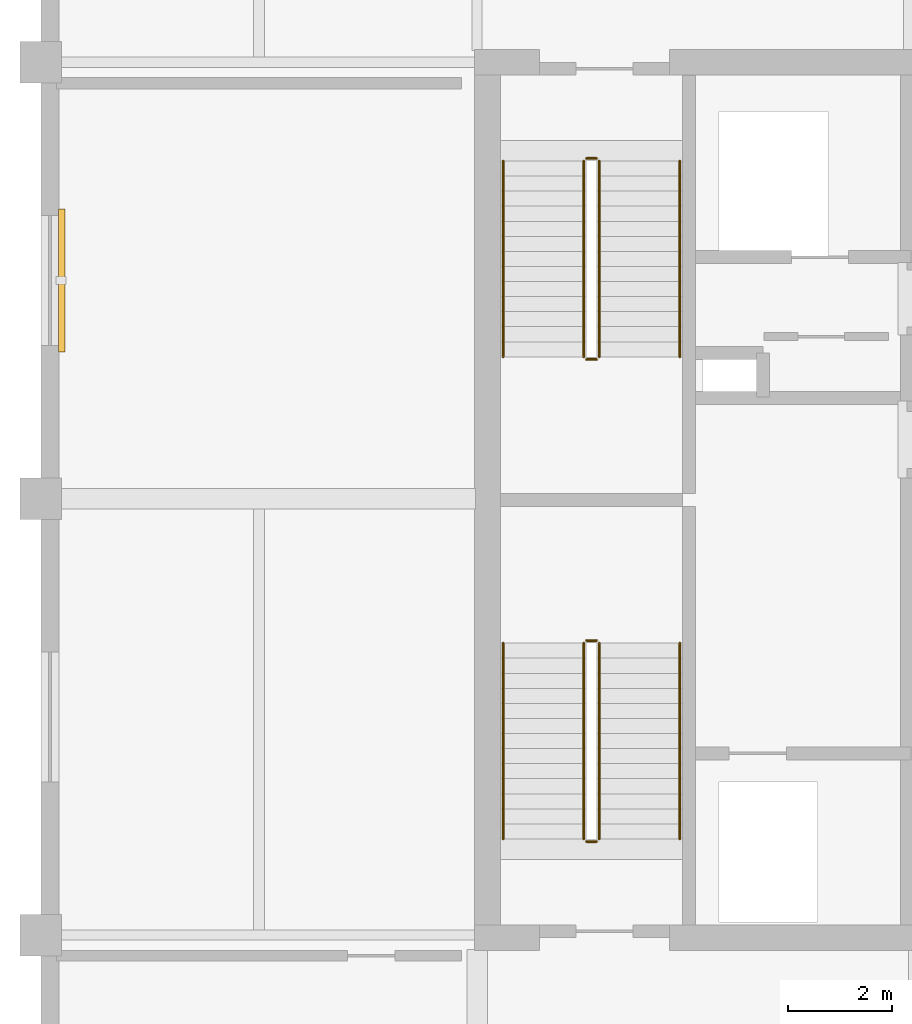
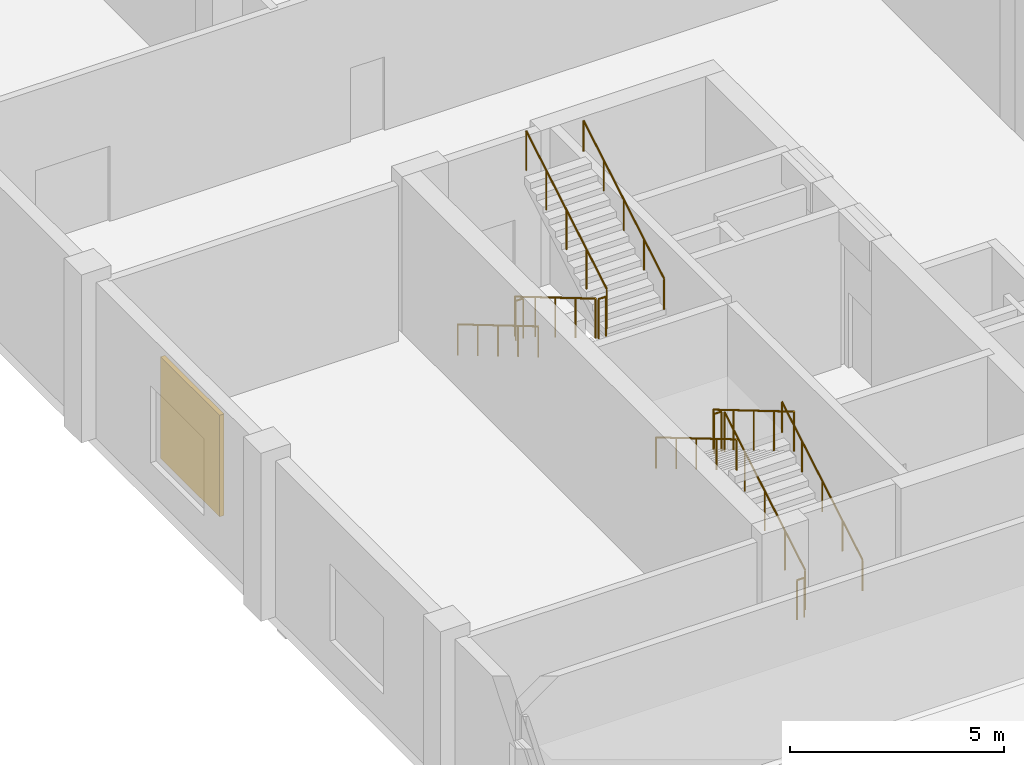
# One storey, part 18 of 18: 12 railings, 1 shading device.
"""IFC4 building model written with IfcOpenShell, lengths in metres."""

from ifc_helpers import new_model, si_unit, direction, frame, origin, origin_2d, place, context, subcontext, project, spatial, rectangle, circle, extrude, material, layer, layer_set, type_object, element, save


model = new_model("IFC4")

# Units and contexts
model_context = context("Model", 3, precision=1e-05, world=origin(), true_north=direction((0.0, 1.0)))
body_context = subcontext(model_context, "Body", "Model", "MODEL_VIEW")
ifc_project = project(units=[si_unit("LENGTHUNIT", "METRE"), si_unit("AREAUNIT", "SQUARE_METRE"), si_unit("VOLUMEUNIT", "CUBIC_METRE"), si_unit("PLANEANGLEUNIT", "RADIAN"), si_unit("MASSUNIT", "GRAM", prefix="KILO")], contexts=[model_context])

# Site, building, storey
site_placement = place(None, origin())
site = spatial("IfcSite", under=ifc_project, at=site_placement, CompositionType="ELEMENT")
building_placement = place(site_placement, origin())
building = spatial("IfcBuilding", under=site, at=building_placement, Name="Koriwani Terraces Tower", CompositionType="ELEMENT")
storey_placement = place(building_placement, frame((0.0, 0.0, 363.800048828125)))
storey = spatial("IfcBuildingStorey", under=building, at=storey_placement, Name="L90", CompositionType="ELEMENT", Elevation=363.800048828125)

# Railings
ifc_material_1 = material(Name="Steel ASTM A572 Grade 50", Category="steel")
railing_type_1 = type_object("IfcRailingType", Name="GUARD_STAIR_WELL_1120", PredefinedType="GUARDRAIL", material=ifc_material_1)
railing_1_placement = place(storey_placement, frame((19.14990234375, 43.85009765625, 0.17138671875)))
element("IfcRailing", 1, at=railing_1_placement, inside=storey, type_object=railing_type_1, Name="L90 ST-W1 stair guard 1", PredefinedType="GUARDRAIL", context=body_context, shape_type="SweptSolid", body=[
    extrude(circle(Radius=0.02392578125, at=origin_2d()), frame((0.0, 0.0, 1.1259765625), z_axis=(0.0, 0.860848830602, 0.508860777473), x_axis=(-1.0, 0.0, 0.0)), (0.0, 0.0, 1.0), 4.37939453125),
    extrude(circle(Radius=0.02099609375, at=origin_2d()), origin(), (0.0, 0.0, 1.0), 1.101806640625),
    extrude(circle(Radius=0.02099609375, at=origin_2d()), frame((0.0, 0.9423828125, 0.55712890625)), (0.0, 0.0, 1.0), 1.101806640625),
    extrude(circle(Radius=0.02099609375, at=origin_2d()), frame((0.0, 1.885009765625, 1.1142578125)), (0.0, 0.0, 1.0), 1.101806640625),
    extrude(circle(Radius=0.02099609375, at=origin_2d()), frame((0.0, 2.82763671875, 1.67138671875)), (0.0, 0.0, 1.0), 1.101806640625),
    extrude(circle(Radius=0.02099609375, at=origin_2d()), frame((0.0, 3.77001953125, 2.228515625)), (0.0, 0.0, 1.0), 1.101806640625),
])
railing_2_placement = place(storey_placement, frame((19.10009765625, 47.669921875, 2.39990234375)))
element("IfcRailing", 2, at=railing_2_placement, inside=storey, type_object=railing_type_1, Name="L90 ST-W1 stair guard 2", PredefinedType="GUARDRAIL", context=body_context, shape_type="SweptSolid", body=[
    extrude(circle(Radius=0.02392578125, at=origin_2d()), frame((0.0, 0.0, 1.1259765625), z_axis=(-1.0, 0.0, 0.0), x_axis=(0.0, -1.0, 0.0)), (0.0, 0.0, 1.0), 0.2001953125),
    extrude(circle(Radius=0.02099609375, at=origin_2d()), origin(), (0.0, 0.0, 1.0), 1.101806640625),
    extrude(circle(Radius=0.02099609375, at=origin_2d()), frame((-0.2001953125, 0.0, 0.0)), (0.0, 0.0, 1.0), 1.101806640625),
])
railing_3_placement = place(storey_placement, frame((18.85009765625, 47.6201171875, 2.5712890625)))
element("IfcRailing", 3, at=railing_3_placement, inside=storey, type_object=railing_type_1, Name="L90 ST-W1 stair guard 3", PredefinedType="GUARDRAIL", context=body_context, shape_type="SweptSolid", body=[
    extrude(circle(Radius=0.02392578125, at=origin_2d()), frame((0.0, 0.0, 1.1259765625), z_axis=(0.0, -0.860824410104, 0.508902087802), x_axis=(1.0, 0.0, 0.0)), (0.0, 0.0, 1.0), 4.379638671875),
    extrude(circle(Radius=0.02099609375, at=origin_2d()), origin(), (0.0, 0.0, 1.0), 1.101806640625),
    extrude(circle(Radius=0.02099609375, at=origin_2d()), frame((0.0, -0.9423828125, 0.55712890625)), (0.0, 0.0, 1.0), 1.101806640625),
    extrude(circle(Radius=0.02099609375, at=origin_2d()), frame((0.0, -1.885009765625, 1.1142578125)), (0.0, 0.0, 1.0), 1.101806640625),
    extrude(circle(Radius=0.02099609375, at=origin_2d()), frame((0.0, -2.82763671875, 1.671630859375)), (0.0, 0.0, 1.0), 1.101806640625),
    extrude(circle(Radius=0.02099609375, at=origin_2d()), frame((0.0, -3.77001953125, 2.228759765625)), (0.0, 0.0, 1.0), 1.101806640625),
])
railing_4_placement = place(storey_placement, frame((19.10009765625, 43.800048828125, 0.0)))
element("IfcRailing", 4, at=railing_4_placement, inside=storey, type_object=railing_type_1, Name="L90 ST-W1 stair guard 4", PredefinedType="GUARDRAIL", context=body_context, shape_type="SweptSolid", body=[
    extrude(circle(Radius=0.02392578125, at=origin_2d()), frame((0.0, 0.0, 1.1259765625), z_axis=(-1.0, 0.0, 0.0), x_axis=(0.0, -1.0, 0.0)), (0.0, 0.0, 1.0), 0.2001953125),
    extrude(circle(Radius=0.02099609375, at=origin_2d()), origin(), (0.0, 0.0, 1.0), 1.101806640625),
    extrude(circle(Radius=0.02099609375, at=origin_2d()), frame((-0.2001953125, 0.0, 0.0)), (0.0, 0.0, 1.0), 1.101806640625),
])
railing_5_placement = place(storey_placement, frame((18.85009765625, 56.89990234375, 0.17138671875)))
element("IfcRailing", 5, at=railing_5_placement, inside=storey, type_object=railing_type_1, Name="L90 ST-W2 stair guard 1", PredefinedType="GUARDRAIL", context=body_context, shape_type="SweptSolid", body=[
    extrude(circle(Radius=0.02392578125, at=origin_2d()), frame((0.0, 0.0, 1.1259765625), z_axis=(0.0, -0.860848830602, 0.508860777473), x_axis=(1.0, 0.0, 0.0)), (0.0, 0.0, 1.0), 4.37939453125),
    extrude(circle(Radius=0.02099609375, at=origin_2d()), origin(), (0.0, 0.0, 1.0), 1.101806640625),
    extrude(circle(Radius=0.02099609375, at=origin_2d()), frame((0.0, -0.9423828125, 0.55712890625)), (0.0, 0.0, 1.0), 1.101806640625),
    extrude(circle(Radius=0.02099609375, at=origin_2d()), frame((0.0, -1.885009765625, 1.1142578125)), (0.0, 0.0, 1.0), 1.101806640625),
    extrude(circle(Radius=0.02099609375, at=origin_2d()), frame((0.0, -2.82763671875, 1.67138671875)), (0.0, 0.0, 1.0), 1.101806640625),
    extrude(circle(Radius=0.02099609375, at=origin_2d()), frame((0.0, -3.77001953125, 2.228515625)), (0.0, 0.0, 1.0), 1.101806640625),
])
railing_6_placement = place(storey_placement, frame((18.89990234375, 53.080078125, 2.39990234375)))
element("IfcRailing", 6, at=railing_6_placement, inside=storey, type_object=railing_type_1, Name="L90 ST-W2 stair guard 2", PredefinedType="GUARDRAIL", context=body_context, shape_type="SweptSolid", body=[
    extrude(circle(Radius=0.02392578125, at=origin_2d()), frame((0.0, 0.0, 1.1259765625), z_axis=(1.0, 0.0, 0.0), x_axis=(0.0, 1.0, 0.0)), (0.0, 0.0, 1.0), 0.2001953125),
    extrude(circle(Radius=0.02099609375, at=origin_2d()), origin(), (0.0, 0.0, 1.0), 1.101806640625),
    extrude(circle(Radius=0.02099609375, at=origin_2d()), frame((0.2001953125, 0.0, 0.0)), (0.0, 0.0, 1.0), 1.101806640625),
])
railing_7_placement = place(storey_placement, frame((19.14990234375, 53.1298828125, 2.5712890625)))
element("IfcRailing", 7, at=railing_7_placement, inside=storey, type_object=railing_type_1, Name="L90 ST-W2 stair guard 3", PredefinedType="GUARDRAIL", context=body_context, shape_type="SweptSolid", body=[
    extrude(circle(Radius=0.02392578125, at=origin_2d()), frame((0.0, 0.0, 1.1259765625), z_axis=(0.0, 0.860824410104, 0.508902087802), x_axis=(-1.0, 0.0, 0.0)), (0.0, 0.0, 1.0), 4.379638671875),
    extrude(circle(Radius=0.02099609375, at=origin_2d()), origin(), (0.0, 0.0, 1.0), 1.101806640625),
    extrude(circle(Radius=0.02099609375, at=origin_2d()), frame((0.0, 0.9423828125, 0.55712890625)), (0.0, 0.0, 1.0), 1.101806640625),
    extrude(circle(Radius=0.02099609375, at=origin_2d()), frame((0.0, 1.885009765625, 1.1142578125)), (0.0, 0.0, 1.0), 1.101806640625),
    extrude(circle(Radius=0.02099609375, at=origin_2d()), frame((0.0, 2.82763671875, 1.671630859375)), (0.0, 0.0, 1.0), 1.101806640625),
    extrude(circle(Radius=0.02099609375, at=origin_2d()), frame((0.0, 3.77001953125, 2.228759765625)), (0.0, 0.0, 1.0), 1.101806640625),
])
railing_8_placement = place(storey_placement, frame((18.89990234375, 56.949951171875, 0.0)))
element("IfcRailing", 8, at=railing_8_placement, inside=storey, type_object=railing_type_1, Name="L90 ST-W2 stair guard 4", PredefinedType="GUARDRAIL", context=body_context, shape_type="SweptSolid", body=[
    extrude(circle(Radius=0.02392578125, at=origin_2d()), frame((0.0, 0.0, 1.1259765625), z_axis=(1.0, 0.0, 0.0), x_axis=(0.0, 1.0, 0.0)), (0.0, 0.0, 1.0), 0.2001953125),
    extrude(circle(Radius=0.02099609375, at=origin_2d()), origin(), (0.0, 0.0, 1.0), 1.101806640625),
    extrude(circle(Radius=0.02099609375, at=origin_2d()), frame((0.2001953125, 0.0, 0.0)), (0.0, 0.0, 1.0), 1.101806640625),
])
railing_type_2 = type_object("IfcRailingType", Name="HANDRAIL_STAIR_920", PredefinedType="HANDRAIL", material=ifc_material_1)
railing_9_placement = place(storey_placement, frame((20.699951171875, 43.85009765625, 0.17138671875)))
element("IfcRailing", 9, at=railing_9_placement, inside=storey, type_object=railing_type_2, Name="L90 ST-W1 stair handrail 1", PredefinedType="HANDRAIL", context=body_context, shape_type="SweptSolid", body=[
    extrude(circle(Radius=0.02392578125, at=origin_2d()), frame((0.0, 0.0, 0.8759765625), z_axis=(0.0, 0.860848830602, 0.508860777473), x_axis=(-1.0, 0.0, 0.0)), (0.0, 0.0, 1.0), 4.37939453125),
    extrude(circle(Radius=0.02099609375, at=origin_2d()), origin(), (0.0, 0.0, 1.0), 0.851806640625),
    extrude(circle(Radius=0.02099609375, at=origin_2d()), frame((0.0, 0.9423828125, 0.55712890625)), (0.0, 0.0, 1.0), 0.851806640625),
    extrude(circle(Radius=0.02099609375, at=origin_2d()), frame((0.0, 1.885009765625, 1.1142578125)), (0.0, 0.0, 1.0), 0.851806640625),
    extrude(circle(Radius=0.02099609375, at=origin_2d()), frame((0.0, 2.82763671875, 1.67138671875)), (0.0, 0.0, 1.0), 0.851806640625),
    extrude(circle(Radius=0.02099609375, at=origin_2d()), frame((0.0, 3.77001953125, 2.228515625)), (0.0, 0.0, 1.0), 0.851806640625),
])
railing_10_placement = place(storey_placement, frame((17.300048828125, 47.6201171875, 2.5712890625)))
element("IfcRailing", 10, at=railing_10_placement, inside=storey, type_object=railing_type_2, Name="L90 ST-W1 stair handrail 2", PredefinedType="HANDRAIL", context=body_context, shape_type="SweptSolid", body=[
    extrude(circle(Radius=0.02392578125, at=origin_2d()), frame((0.0, 0.0, 0.8759765625), z_axis=(0.0, -0.860824410104, 0.508902087802), x_axis=(1.0, 0.0, 0.0)), (0.0, 0.0, 1.0), 4.379638671875),
    extrude(circle(Radius=0.02099609375, at=origin_2d()), origin(), (0.0, 0.0, 1.0), 0.851806640625),
    extrude(circle(Radius=0.02099609375, at=origin_2d()), frame((0.0, -0.9423828125, 0.55712890625)), (0.0, 0.0, 1.0), 0.851806640625),
    extrude(circle(Radius=0.02099609375, at=origin_2d()), frame((0.0, -1.885009765625, 1.1142578125)), (0.0, 0.0, 1.0), 0.851806640625),
    extrude(circle(Radius=0.02099609375, at=origin_2d()), frame((0.0, -2.82763671875, 1.671630859375)), (0.0, 0.0, 1.0), 0.851806640625),
    extrude(circle(Radius=0.02099609375, at=origin_2d()), frame((0.0, -3.77001953125, 2.228759765625)), (0.0, 0.0, 1.0), 0.851806640625),
])
railing_11_placement = place(storey_placement, frame((17.300048828125, 56.89990234375, 0.17138671875)))
element("IfcRailing", 11, at=railing_11_placement, inside=storey, type_object=railing_type_2, Name="L90 ST-W2 stair handrail 1", PredefinedType="HANDRAIL", context=body_context, shape_type="SweptSolid", body=[
    extrude(circle(Radius=0.02392578125, at=origin_2d()), frame((0.0, 0.0, 0.8759765625), z_axis=(0.0, -0.860848830602, 0.508860777473), x_axis=(1.0, 0.0, 0.0)), (0.0, 0.0, 1.0), 4.37939453125),
    extrude(circle(Radius=0.02099609375, at=origin_2d()), origin(), (0.0, 0.0, 1.0), 0.851806640625),
    extrude(circle(Radius=0.02099609375, at=origin_2d()), frame((0.0, -0.9423828125, 0.55712890625)), (0.0, 0.0, 1.0), 0.851806640625),
    extrude(circle(Radius=0.02099609375, at=origin_2d()), frame((0.0, -1.885009765625, 1.1142578125)), (0.0, 0.0, 1.0), 0.851806640625),
    extrude(circle(Radius=0.02099609375, at=origin_2d()), frame((0.0, -2.82763671875, 1.67138671875)), (0.0, 0.0, 1.0), 0.851806640625),
    extrude(circle(Radius=0.02099609375, at=origin_2d()), frame((0.0, -3.77001953125, 2.228515625)), (0.0, 0.0, 1.0), 0.851806640625),
])
railing_12_placement = place(storey_placement, frame((20.699951171875, 53.1298828125, 2.5712890625)))
element("IfcRailing", 12, at=railing_12_placement, inside=storey, type_object=railing_type_2, Name="L90 ST-W2 stair handrail 2", PredefinedType="HANDRAIL", context=body_context, shape_type="SweptSolid", body=[
    extrude(circle(Radius=0.02392578125, at=origin_2d()), frame((0.0, 0.0, 0.8759765625), z_axis=(0.0, 0.860824410104, 0.508902087802), x_axis=(-1.0, 0.0, 0.0)), (0.0, 0.0, 1.0), 4.379638671875),
    extrude(circle(Radius=0.02099609375, at=origin_2d()), origin(), (0.0, 0.0, 1.0), 0.851806640625),
    extrude(circle(Radius=0.02099609375, at=origin_2d()), frame((0.0, 0.9423828125, 0.55712890625)), (0.0, 0.0, 1.0), 0.851806640625),
    extrude(circle(Radius=0.02099609375, at=origin_2d()), frame((0.0, 1.885009765625, 1.1142578125)), (0.0, 0.0, 1.0), 0.851806640625),
    extrude(circle(Radius=0.02099609375, at=origin_2d()), frame((0.0, 2.82763671875, 1.671630859375)), (0.0, 0.0, 1.0), 0.851806640625),
    extrude(circle(Radius=0.02099609375, at=origin_2d()), frame((0.0, 3.77001953125, 2.228759765625)), (0.0, 0.0, 1.0), 0.851806640625),
])

# Shading device
ifc_material_2 = material(Name="Extruded Terracotta Clay", Category="masonry")
ifc_layer = layer(ifc_material_2, 0.1201171875, Name="Extruded Terracotta Clay")
ifc_layer_set = layer_set([ifc_layer], Name="Extruded Terracotta Clay")
shading_device_type = type_object("IfcShadingDeviceType", Name="TERRACOTTA_BAGUETTE_SCREEN_2800", PredefinedType="USERDEFINED", material=ifc_layer_set)
shading_device_placement = place(storey_placement, frame((8.804931640625, 54.60009765625, 0.77490234375), z_axis=(0.0, 0.0, 1.0), x_axis=(0.0, 1.0, 0.0)))
element("IfcShadingDevice", 13, at=shading_device_placement, inside=storey, type_object=shading_device_type, Name="L90 Extruded Terracotta Baguette Screen (W-15)", ObjectType="BAGUETTE", PredefinedType="USERDEFINED", context=body_context, shape_type="SweptSolid", body=[
    extrude(rectangle(XDim=2.760009765625, YDim=0.1201171875, at=origin_2d()), origin(), (0.0, 0.0, 1.0), 2.89990234375),
])

save(model, "model.ifc")
